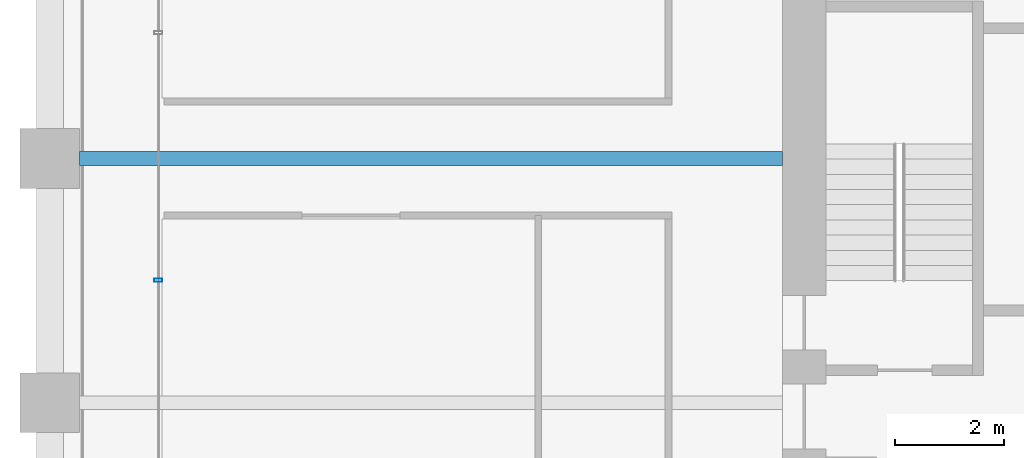
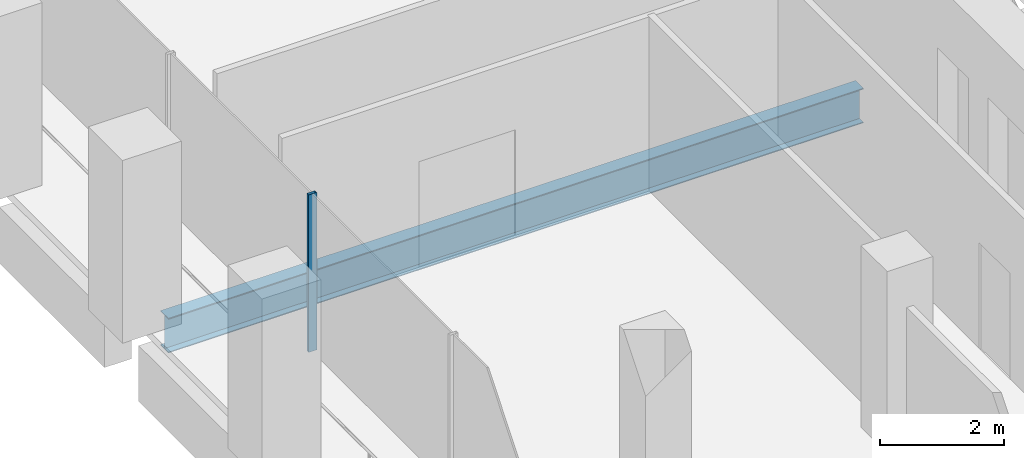
# One storey, part 11 of 54: 1 beam, 1 member, 1 element without a shape of its own.
"""IFC4 building model written with IfcOpenShell, lengths in metres."""

from ifc_helpers import new_model, si_unit, direction, frame, origin, origin_2d, place, context, subcontext, project, spatial, hollow_rectangle, i_section, extrude, material, material_profile, profile_set, type_object, element, aggregate, save


model = new_model("IFC4")

# Units and contexts
model_context = context("Model", 3, precision=1e-05, world=origin(), true_north=direction((0.0, 1.0)))
body_context = subcontext(model_context, "Body", "Model", "MODEL_VIEW")
ifc_project = project(units=[si_unit("LENGTHUNIT", "METRE"), si_unit("AREAUNIT", "SQUARE_METRE"), si_unit("VOLUMEUNIT", "CUBIC_METRE"), si_unit("PLANEANGLEUNIT", "RADIAN"), si_unit("MASSUNIT", "GRAM", prefix="KILO")], contexts=[model_context])

# Site, building, storey
site_placement = place(None, origin())
site = spatial("IfcSite", under=ifc_project, at=site_placement, CompositionType="ELEMENT")
building_placement = place(site_placement, origin())
building = spatial("IfcBuilding", under=site, at=building_placement, Name="Altepetl Exchange Towers", CompositionType="ELEMENT")
storey_placement = place(building_placement, frame((0.0, 0.0, 58.199951171875)))
storey = spatial("IfcBuildingStorey", under=building, at=storey_placement, Name="L13", CompositionType="ELEMENT", Elevation=58.199951171875)

# Beam
ifc_material_1 = material(Name="Steel S355", Category="steel")
ifc_material_profile_1 = material_profile(ifc_material_1, i_section(OverallWidth=0.25390625, OverallDepth=0.68408203125, WebThickness=0.012451171875, FlangeThickness=0.018798828125, at=origin_2d()), Name="W27X94")
ifc_profile_set_1 = profile_set([ifc_material_profile_1], Name="Steel S355")
beam_type = type_object("IfcBeamType", Name="Floor beam W27X94", PredefinedType="BEAM", material=ifc_profile_set_1)
beam_placement = place(storey_placement, frame((27.550048828125, 49.5, -0.491943359375), z_axis=(1.0, 0.0, 0.0), x_axis=(0.0, 1.0, 0.0)))
element("IfcBeam", 1, at=beam_placement, inside=storey, type_object=beam_type, Name="bm:A:L13:019", PredefinedType="BEAM", context=body_context, shape_type="SweptSolid", body=[
    extrude(i_section(OverallWidth=0.25390625, OverallDepth=0.68408203125, WebThickness=0.012451171875, FlangeThickness=0.018798828125, at=origin_2d()), origin(), (0.0, 0.0, 1.0), 12.949951171875),
])

# Curtain wall, member
ifc_material_2 = material(Name="Aluminium 6063-T6 glazing", Category="aluminium")
curtain_wall_type = type_object("IfcCurtainWallType", Name="Loggia glazing system", PredefinedType="NOTDEFINED", material=ifc_material_2)
curtain_wall_placement = place(storey_placement, origin())
curtain_wall = element("IfcCurtainWall", 2, at=curtain_wall_placement, inside=storey, type_object=curtain_wall_type, Name="CW1 run", PredefinedType="NOTDEFINED")
ifc_material_3 = material(Name="Aluminium 6063-T6", Category="aluminium")
ifc_material_profile_2 = material_profile(ifc_material_3, hollow_rectangle(XDim=0.06005859375, YDim=0.14990234375, WallThickness=0.0029296875, at=origin_2d()), Name="Mullion 60x150 aluminium")
ifc_profile_set_2 = profile_set([ifc_material_profile_2], Name="Aluminium 6063-T6")
member_type = type_object("IfcMemberType", Name="Mullion 60x150 aluminium", PredefinedType="MULLION", material=ifc_profile_set_2)
member_placement = place(storey_placement, frame((29.0, 47.257080078125, 0.0), z_axis=(0.0, 0.0, 1.0), x_axis=(0.0, -1.0, 0.0)))
member = element("IfcMember", 3, at=member_placement, type_object=member_type, Name="MU1 mullion", PredefinedType="MULLION", context=body_context, shape_type="SweptSolid", body=[
    extrude(hollow_rectangle(XDim=0.06005859375, YDim=0.14990234375, WallThickness=0.0029296875, at=origin_2d()), origin(), (0.0, 0.0, 1.0), 3.10009765625),
])
aggregate(curtain_wall, [member])

save(model, "model.ifc")
